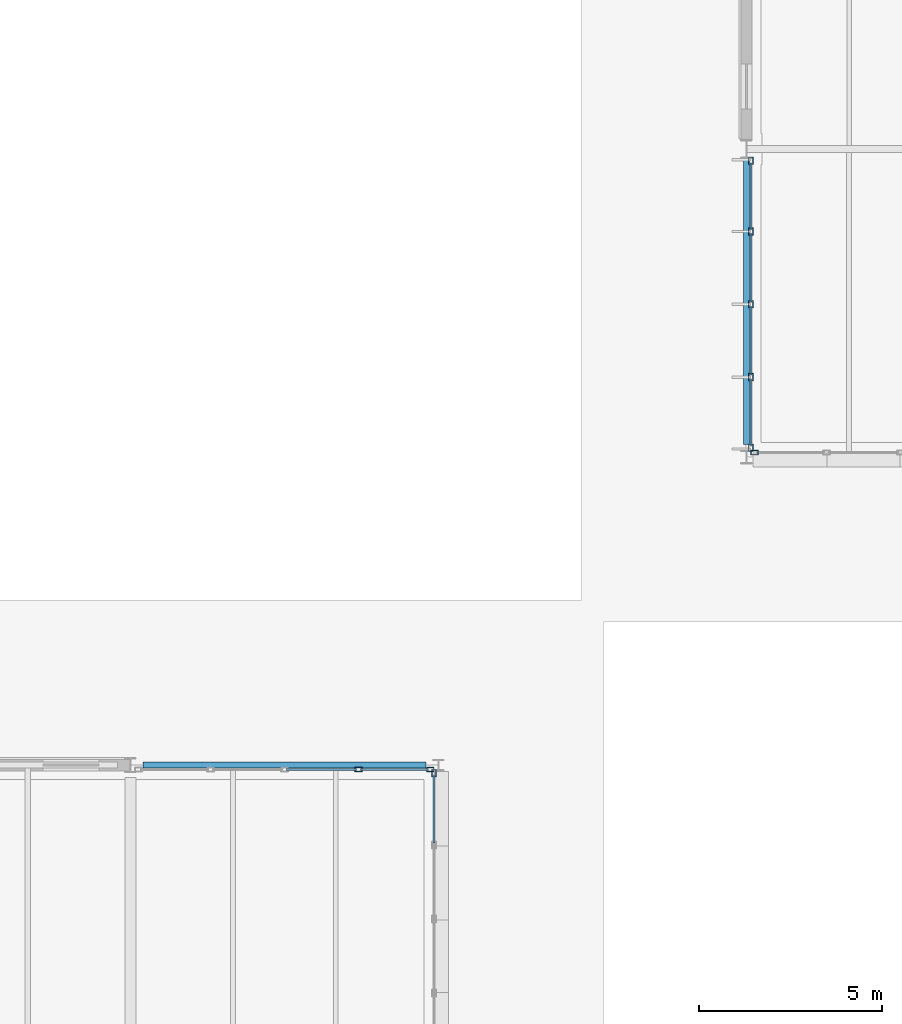
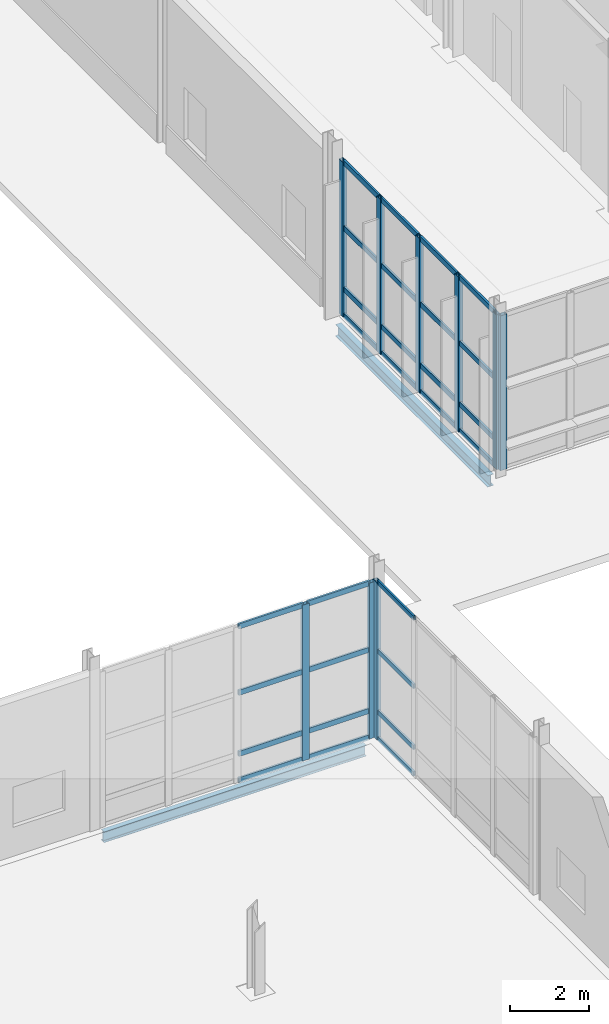
# One storey, part 51 of 124: 37 members, 2 beams, 4 elements without a shape of their own.
"""IFC4 building model written with IfcOpenShell, lengths in metres."""

from ifc_helpers import new_model, si_unit, direction, frame, origin, origin_2d, place, context, subcontext, project, spatial, hollow_rectangle, i_section, extrude, material, material_profile, profile_set, type_object, element, aggregate, save


model = new_model("IFC4")

# Units and contexts
model_context = context("Model", 3, precision=1e-05, world=origin(), true_north=direction((0.0, 1.0)))
body_context = subcontext(model_context, "Body", "Model", "MODEL_VIEW")
ifc_project = project(units=[si_unit("LENGTHUNIT", "METRE"), si_unit("AREAUNIT", "SQUARE_METRE"), si_unit("VOLUMEUNIT", "CUBIC_METRE"), si_unit("PLANEANGLEUNIT", "RADIAN"), si_unit("MASSUNIT", "GRAM", prefix="KILO")], contexts=[model_context])

# Site, building, storey
site_placement = place(None, origin())
site = spatial("IfcSite", under=ifc_project, at=site_placement, CompositionType="ELEMENT")
building_placement = place(site_placement, origin())
building = spatial("IfcBuilding", under=site, at=building_placement, Name="Mersafa Astral City Hall", CompositionType="ELEMENT")
storey_placement = place(building_placement, origin())
storey = spatial("IfcBuildingStorey", under=building, at=storey_placement, Name="L00", CompositionType="ELEMENT", Elevation=0.0)

# Curtain wall, member
ifc_material_1 = material(Name="Anodised bronze aluminium framing", Category="aluminium")
curtain_wall_type_1 = type_object("IfcCurtainWallType", Name="ENV-CW-6", PredefinedType="USERDEFINED", material=ifc_material_1)
curtain_wall_1_placement = place(storey_placement, origin())
curtain_wall_1 = element("IfcCurtainWall", 1, at=curtain_wall_1_placement, inside=storey, type_object=curtain_wall_type_1, Name="L00 Unitised solar curtain wall 5", ObjectType="UNITISED CURTAIN WALL", PredefinedType="USERDEFINED")
ifc_material_profile_1 = material_profile(ifc_material_1, hollow_rectangle(XDim=0.1201171875, YDim=0.199951171875, WallThickness=0.008056640625, at=origin_2d()), Name="RHS 120x200x8")
ifc_profile_set_1 = profile_set([ifc_material_profile_1], Name="Anodised bronze aluminium framing")
member_type_1 = type_object("IfcMemberType", Name="ENV-CW-MUL-2", PredefinedType="MULLION", material=ifc_profile_set_1)
member_1_placement = place(storey_placement, frame((151.080078125, 33.3779296875, -0.001953125), z_axis=(0.0, 0.0, 1.0), x_axis=(-1.0, 0.0, 0.0)))
member_1 = element("IfcMember", 2, at=member_1_placement, type_object=member_type_1, Name="CW-6 mullion 5", PredefinedType="MULLION", context=body_context, shape_type="SweptSolid", body=[
    extrude(hollow_rectangle(XDim=0.1201171875, YDim=0.199951171875, WallThickness=0.008056640625, at=origin_2d()), origin(), (0.0, 0.0, 1.0), 4.904052734375),
])

# Curtain wall, members
curtain_wall_type_2 = type_object("IfcCurtainWallType", Name="ENV-CW-1", PredefinedType="USERDEFINED", material=ifc_material_1)
curtain_wall_2_placement = place(storey_placement, origin())
curtain_wall_2 = element("IfcCurtainWall", 3, at=curtain_wall_2_placement, inside=storey, type_object=curtain_wall_type_2, Name="L00 Unitised solar curtain wall 6", ObjectType="UNITISED CURTAIN WALL", PredefinedType="USERDEFINED")
member_2_placement = place(storey_placement, frame((150.97802734375, 33.47998046875, -0.001953125), z_axis=(0.0, 0.0, 1.0), x_axis=(0.0, -1.0, 0.0)))
member_2 = element("IfcMember", 4, at=member_2_placement, type_object=member_type_1, Name="CW-1 mullion 1", PredefinedType="MULLION", context=body_context, shape_type="SweptSolid", body=[
    extrude(hollow_rectangle(XDim=0.1201171875, YDim=0.199951171875, WallThickness=0.008056640625, at=origin_2d()), origin(), (0.0, 0.0, 1.0), 4.843994140625),
])
member_3_placement = place(storey_placement, frame((149.01904296875, 33.47998046875, -0.001953125), z_axis=(0.0, 0.0, 1.0), x_axis=(0.0, -1.0, 0.0)))
member_3 = element("IfcMember", 5, at=member_3_placement, type_object=member_type_1, Name="CW-1 mullion 2", PredefinedType="MULLION", context=body_context, shape_type="SweptSolid", body=[
    extrude(hollow_rectangle(XDim=0.1201171875, YDim=0.199951171875, WallThickness=0.008056640625, at=origin_2d()), origin(), (0.0, 0.0, 1.0), 4.843994140625),
])

curtain_wall_type_3 = type_object("IfcCurtainWallType", Name="ENV-CW-5", PredefinedType="USERDEFINED", material=ifc_material_1)
curtain_wall_3_placement = place(storey_placement, origin())
curtain_wall_3 = element("IfcCurtainWall", 6, at=curtain_wall_3_placement, inside=storey, type_object=curtain_wall_type_3, Name="L00 Unitised solar curtain wall 22", ObjectType="UNITISED CURTAIN WALL", PredefinedType="USERDEFINED")
member_4_placement = place(storey_placement, frame((159.719970703125, 50.077880859375, -0.001953125), z_axis=(0.0, 0.0, 1.0), x_axis=(1.0, 0.0, 0.0)))
member_4 = element("IfcMember", 7, at=member_4_placement, type_object=member_type_1, Name="CW-5 mullion 1", PredefinedType="MULLION", context=body_context, shape_type="SweptSolid", body=[
    extrude(hollow_rectangle(XDim=0.1201171875, YDim=0.199951171875, WallThickness=0.008056640625, at=origin_2d()), origin(), (0.0, 0.0, 1.0), 4.81396484375),
])
member_5_placement = place(storey_placement, frame((159.719970703125, 48.151611328125, -0.001953125), z_axis=(0.0, 0.0, 1.0), x_axis=(1.0, 0.0, 0.0)))
member_5 = element("IfcMember", 8, at=member_5_placement, type_object=member_type_1, Name="CW-5 mullion 2", PredefinedType="MULLION", context=body_context, shape_type="SweptSolid", body=[
    extrude(hollow_rectangle(XDim=0.1201171875, YDim=0.199951171875, WallThickness=0.008056640625, at=origin_2d()), origin(), (0.0, 0.0, 1.0), 4.81396484375),
])
member_6_placement = place(storey_placement, frame((159.719970703125, 46.1650390625, -0.001953125), z_axis=(0.0, 0.0, 1.0), x_axis=(1.0, 0.0, 0.0)))
member_6 = element("IfcMember", 9, at=member_6_placement, type_object=member_type_1, Name="CW-5 mullion 3", PredefinedType="MULLION", context=body_context, shape_type="SweptSolid", body=[
    extrude(hollow_rectangle(XDim=0.1201171875, YDim=0.199951171875, WallThickness=0.008056640625, at=origin_2d()), origin(), (0.0, 0.0, 1.0), 4.81396484375),
])
member_7_placement = place(storey_placement, frame((159.719970703125, 44.178466796875, -0.001953125), z_axis=(0.0, 0.0, 1.0), x_axis=(1.0, 0.0, 0.0)))
member_7 = element("IfcMember", 10, at=member_7_placement, type_object=member_type_1, Name="CW-5 mullion 4", PredefinedType="MULLION", context=body_context, shape_type="SweptSolid", body=[
    extrude(hollow_rectangle(XDim=0.1201171875, YDim=0.199951171875, WallThickness=0.008056640625, at=origin_2d()), origin(), (0.0, 0.0, 1.0), 4.81396484375),
])
member_8_placement = place(storey_placement, frame((159.719970703125, 42.251953125, -0.001953125), z_axis=(0.0, 0.0, 1.0), x_axis=(1.0, 0.0, 0.0)))
member_8 = element("IfcMember", 11, at=member_8_placement, type_object=member_type_1, Name="CW-5 mullion 5", PredefinedType="MULLION", context=body_context, shape_type="SweptSolid", body=[
    extrude(hollow_rectangle(XDim=0.1201171875, YDim=0.199951171875, WallThickness=0.008056640625, at=origin_2d()), origin(), (0.0, 0.0, 1.0), 4.81396484375),
])

# Curtain wall, member
curtain_wall_4_placement = place(storey_placement, origin())
curtain_wall_4 = element("IfcCurtainWall", 12, at=curtain_wall_4_placement, inside=storey, type_object=curtain_wall_type_1, Name="L00 Unitised solar curtain wall 23", ObjectType="UNITISED CURTAIN WALL", PredefinedType="USERDEFINED")
member_9_placement = place(storey_placement, frame((159.822021484375, 42.1201171875, -0.001953125), z_axis=(0.0, 0.0, 1.0), x_axis=(0.0, 1.0, 0.0)))
member_9 = element("IfcMember", 13, at=member_9_placement, type_object=member_type_1, Name="CW-6 mullion 1", PredefinedType="MULLION", context=body_context, shape_type="SweptSolid", body=[
    extrude(hollow_rectangle(XDim=0.1201171875, YDim=0.199951171875, WallThickness=0.008056640625, at=origin_2d()), origin(), (0.0, 0.0, 1.0), 4.81396484375),
])
aggregate(curtain_wall_4, [member_9])

# Member
ifc_material_profile_2 = material_profile(ifc_material_1, hollow_rectangle(XDim=0.06005859375, YDim=0.139892578125, WallThickness=0.00390625, at=origin_2d()), Name="RHS 60x140x4")
ifc_profile_set_2 = profile_set([ifc_material_profile_2], Name="Anodised bronze aluminium framing")
member_type_2 = type_object("IfcMemberType", Name="ENV-CW-TRN-1", PredefinedType="USERDEFINED", material=ifc_profile_set_2)
member_10_placement = place(storey_placement, frame((151.080078125, 31.47900390625, 0.028076171875), z_axis=(0.0, 1.0, 0.0), x_axis=(-1.0, 0.0, 0.0)))
member_10 = element("IfcMember", 14, at=member_10_placement, type_object=member_type_2, Name="CW-6 transom 4.1", ObjectType="TRANSOM", PredefinedType="USERDEFINED", context=body_context, shape_type="SweptSolid", body=[
    extrude(hollow_rectangle(XDim=0.06005859375, YDim=0.139892578125, WallThickness=0.00390625, at=origin_2d()), origin(), (0.0, 0.0, 1.0), 1.839111328125),
])

member_11_placement = place(storey_placement, frame((151.080078125, 31.47900390625, 0.85009765625), z_axis=(0.0, 1.0, 0.0), x_axis=(-1.0, 0.0, 0.0)))
member_11 = element("IfcMember", 15, at=member_11_placement, type_object=member_type_2, Name="CW-6 transom 4.2", ObjectType="TRANSOM", PredefinedType="USERDEFINED", context=body_context, shape_type="SweptSolid", body=[
    extrude(hollow_rectangle(XDim=0.06005859375, YDim=0.139892578125, WallThickness=0.00390625, at=origin_2d()), origin(), (0.0, 0.0, 1.0), 1.839111328125),
])

member_12_placement = place(storey_placement, frame((151.080078125, 31.47900390625, 2.75), z_axis=(0.0, 1.0, 0.0), x_axis=(-1.0, 0.0, 0.0)))
member_12 = element("IfcMember", 16, at=member_12_placement, type_object=member_type_2, Name="CW-6 transom 4.3", ObjectType="TRANSOM", PredefinedType="USERDEFINED", context=body_context, shape_type="SweptSolid", body=[
    extrude(hollow_rectangle(XDim=0.06005859375, YDim=0.139892578125, WallThickness=0.00390625, at=origin_2d()), origin(), (0.0, 0.0, 1.0), 1.839111328125),
])

member_13_placement = place(storey_placement, frame((151.080078125, 31.47900390625, 4.8720703125), z_axis=(0.0, 1.0, 0.0), x_axis=(-1.0, 0.0, 0.0)))
member_13 = element("IfcMember", 17, at=member_13_placement, type_object=member_type_2, Name="CW-6 transom 4.4", ObjectType="TRANSOM", PredefinedType="USERDEFINED", context=body_context, shape_type="SweptSolid", body=[
    extrude(hollow_rectangle(XDim=0.06005859375, YDim=0.139892578125, WallThickness=0.00390625, at=origin_2d()), origin(), (0.0, 0.0, 1.0), 1.839111328125),
])

aggregate(curtain_wall_1, [member_1, member_10, member_11, member_12, member_13])

ifc_material_profile_3 = material_profile(ifc_material_1, hollow_rectangle(XDim=0.06005859375, YDim=0.159912109375, WallThickness=0.00390625, at=origin_2d()), Name="RHS 60x160x4")
ifc_profile_set_3 = profile_set([ifc_material_profile_3], Name="Anodised bronze aluminium framing")
member_type_3 = type_object("IfcMemberType", Name="ENV-CW-TRN-2", PredefinedType="USERDEFINED", material=ifc_profile_set_3)
member_14_placement = place(storey_placement, frame((150.91796875, 33.47998046875, 0.028076171875), z_axis=(-1.0, 0.0, 0.0), x_axis=(0.0, -1.0, 0.0)))
member_14 = element("IfcMember", 18, at=member_14_placement, type_object=member_type_3, Name="CW-1 transom 1.1", ObjectType="TRANSOM", PredefinedType="USERDEFINED", context=body_context, shape_type="SweptSolid", body=[
    extrude(hollow_rectangle(XDim=0.06005859375, YDim=0.159912109375, WallThickness=0.00390625, at=origin_2d()), origin(), (0.0, 0.0, 1.0), 1.8388671875),
])

member_15_placement = place(storey_placement, frame((150.91796875, 33.47998046875, 0.85009765625), z_axis=(-1.0, 0.0, 0.0), x_axis=(0.0, -1.0, 0.0)))
member_15 = element("IfcMember", 19, at=member_15_placement, type_object=member_type_3, Name="CW-1 transom 1.2", ObjectType="TRANSOM", PredefinedType="USERDEFINED", context=body_context, shape_type="SweptSolid", body=[
    extrude(hollow_rectangle(XDim=0.06005859375, YDim=0.159912109375, WallThickness=0.00390625, at=origin_2d()), origin(), (0.0, 0.0, 1.0), 1.8388671875),
])

member_16_placement = place(storey_placement, frame((150.91796875, 33.47998046875, 2.75), z_axis=(-1.0, 0.0, 0.0), x_axis=(0.0, -1.0, 0.0)))
member_16 = element("IfcMember", 20, at=member_16_placement, type_object=member_type_3, Name="CW-1 transom 1.3", ObjectType="TRANSOM", PredefinedType="USERDEFINED", context=body_context, shape_type="SweptSolid", body=[
    extrude(hollow_rectangle(XDim=0.06005859375, YDim=0.159912109375, WallThickness=0.00390625, at=origin_2d()), origin(), (0.0, 0.0, 1.0), 1.8388671875),
])

member_17_placement = place(storey_placement, frame((150.91796875, 33.47998046875, 4.81201171875), z_axis=(-1.0, 0.0, 0.0), x_axis=(0.0, -1.0, 0.0)))
member_17 = element("IfcMember", 21, at=member_17_placement, type_object=member_type_3, Name="CW-1 transom 1.4", ObjectType="TRANSOM", PredefinedType="USERDEFINED", context=body_context, shape_type="SweptSolid", body=[
    extrude(hollow_rectangle(XDim=0.06005859375, YDim=0.159912109375, WallThickness=0.00390625, at=origin_2d()), origin(), (0.0, 0.0, 1.0), 1.8388671875),
])

member_18_placement = place(storey_placement, frame((148.958984375, 33.47998046875, 0.028076171875), z_axis=(-1.0, 0.0, 0.0), x_axis=(0.0, -1.0, 0.0)))
member_18 = element("IfcMember", 22, at=member_18_placement, type_object=member_type_3, Name="CW-1 transom 2.1", ObjectType="TRANSOM", PredefinedType="USERDEFINED", context=body_context, shape_type="SweptSolid", body=[
    extrude(hollow_rectangle(XDim=0.06005859375, YDim=0.159912109375, WallThickness=0.00390625, at=origin_2d()), origin(), (0.0, 0.0, 1.0), 1.89892578125),
])

member_19_placement = place(storey_placement, frame((148.958984375, 33.47998046875, 0.85009765625), z_axis=(-1.0, 0.0, 0.0), x_axis=(0.0, -1.0, 0.0)))
member_19 = element("IfcMember", 23, at=member_19_placement, type_object=member_type_3, Name="CW-1 transom 2.2", ObjectType="TRANSOM", PredefinedType="USERDEFINED", context=body_context, shape_type="SweptSolid", body=[
    extrude(hollow_rectangle(XDim=0.06005859375, YDim=0.159912109375, WallThickness=0.00390625, at=origin_2d()), origin(), (0.0, 0.0, 1.0), 1.89892578125),
])

member_20_placement = place(storey_placement, frame((148.958984375, 33.47998046875, 2.75), z_axis=(-1.0, 0.0, 0.0), x_axis=(0.0, -1.0, 0.0)))
member_20 = element("IfcMember", 24, at=member_20_placement, type_object=member_type_3, Name="CW-1 transom 2.3", ObjectType="TRANSOM", PredefinedType="USERDEFINED", context=body_context, shape_type="SweptSolid", body=[
    extrude(hollow_rectangle(XDim=0.06005859375, YDim=0.159912109375, WallThickness=0.00390625, at=origin_2d()), origin(), (0.0, 0.0, 1.0), 1.89892578125),
])

member_21_placement = place(storey_placement, frame((148.958984375, 33.47998046875, 4.81201171875), z_axis=(-1.0, 0.0, 0.0), x_axis=(0.0, -1.0, 0.0)))
member_21 = element("IfcMember", 25, at=member_21_placement, type_object=member_type_3, Name="CW-1 transom 2.4", ObjectType="TRANSOM", PredefinedType="USERDEFINED", context=body_context, shape_type="SweptSolid", body=[
    extrude(hollow_rectangle(XDim=0.06005859375, YDim=0.159912109375, WallThickness=0.00390625, at=origin_2d()), origin(), (0.0, 0.0, 1.0), 1.89892578125),
])

aggregate(curtain_wall_2, [member_2, member_3, member_14, member_15, member_16, member_17, member_18, member_19, member_20, member_21])

member_22_placement = place(storey_placement, frame((159.719970703125, 50.01806640625, 0.028076171875), z_axis=(0.0, -1.0, 0.0), x_axis=(1.0, 0.0, 0.0)))
member_22 = element("IfcMember", 26, at=member_22_placement, type_object=member_type_3, Name="CW-5 transom 1.1", ObjectType="TRANSOM", PredefinedType="USERDEFINED", context=body_context, shape_type="SweptSolid", body=[
    extrude(hollow_rectangle(XDim=0.06005859375, YDim=0.159912109375, WallThickness=0.00390625, at=origin_2d()), origin(), (0.0, 0.0, 1.0), 1.806640625),
])

member_23_placement = place(storey_placement, frame((159.719970703125, 50.01806640625, 0.85009765625), z_axis=(0.0, -1.0, 0.0), x_axis=(1.0, 0.0, 0.0)))
member_23 = element("IfcMember", 27, at=member_23_placement, type_object=member_type_3, Name="CW-5 transom 1.2", ObjectType="TRANSOM", PredefinedType="USERDEFINED", context=body_context, shape_type="SweptSolid", body=[
    extrude(hollow_rectangle(XDim=0.06005859375, YDim=0.159912109375, WallThickness=0.00390625, at=origin_2d()), origin(), (0.0, 0.0, 1.0), 1.806640625),
])

member_24_placement = place(storey_placement, frame((159.719970703125, 50.01806640625, 2.75), z_axis=(0.0, -1.0, 0.0), x_axis=(1.0, 0.0, 0.0)))
member_24 = element("IfcMember", 28, at=member_24_placement, type_object=member_type_3, Name="CW-5 transom 1.3", ObjectType="TRANSOM", PredefinedType="USERDEFINED", context=body_context, shape_type="SweptSolid", body=[
    extrude(hollow_rectangle(XDim=0.06005859375, YDim=0.159912109375, WallThickness=0.00390625, at=origin_2d()), origin(), (0.0, 0.0, 1.0), 1.806640625),
])

member_25_placement = place(storey_placement, frame((159.719970703125, 50.01806640625, 4.781982421875), z_axis=(0.0, -1.0, 0.0), x_axis=(1.0, 0.0, 0.0)))
member_25 = element("IfcMember", 29, at=member_25_placement, type_object=member_type_3, Name="CW-5 transom 1.4", ObjectType="TRANSOM", PredefinedType="USERDEFINED", context=body_context, shape_type="SweptSolid", body=[
    extrude(hollow_rectangle(XDim=0.06005859375, YDim=0.159912109375, WallThickness=0.00390625, at=origin_2d()), origin(), (0.0, 0.0, 1.0), 1.806640625),
])

member_26_placement = place(storey_placement, frame((159.719970703125, 48.091552734375, 0.028076171875), z_axis=(0.0, -1.0, 0.0), x_axis=(1.0, 0.0, 0.0)))
member_26 = element("IfcMember", 30, at=member_26_placement, type_object=member_type_3, Name="CW-5 transom 2.1", ObjectType="TRANSOM", PredefinedType="USERDEFINED", context=body_context, shape_type="SweptSolid", body=[
    extrude(hollow_rectangle(XDim=0.06005859375, YDim=0.159912109375, WallThickness=0.00390625, at=origin_2d()), origin(), (0.0, 0.0, 1.0), 1.866455078125),
])

member_27_placement = place(storey_placement, frame((159.719970703125, 48.091552734375, 0.85009765625), z_axis=(0.0, -1.0, 0.0), x_axis=(1.0, 0.0, 0.0)))
member_27 = element("IfcMember", 31, at=member_27_placement, type_object=member_type_3, Name="CW-5 transom 2.2", ObjectType="TRANSOM", PredefinedType="USERDEFINED", context=body_context, shape_type="SweptSolid", body=[
    extrude(hollow_rectangle(XDim=0.06005859375, YDim=0.159912109375, WallThickness=0.00390625, at=origin_2d()), origin(), (0.0, 0.0, 1.0), 1.866455078125),
])

member_28_placement = place(storey_placement, frame((159.719970703125, 48.091552734375, 2.75), z_axis=(0.0, -1.0, 0.0), x_axis=(1.0, 0.0, 0.0)))
member_28 = element("IfcMember", 32, at=member_28_placement, type_object=member_type_3, Name="CW-5 transom 2.3", ObjectType="TRANSOM", PredefinedType="USERDEFINED", context=body_context, shape_type="SweptSolid", body=[
    extrude(hollow_rectangle(XDim=0.06005859375, YDim=0.159912109375, WallThickness=0.00390625, at=origin_2d()), origin(), (0.0, 0.0, 1.0), 1.866455078125),
])

member_29_placement = place(storey_placement, frame((159.719970703125, 48.091552734375, 4.781982421875), z_axis=(0.0, -1.0, 0.0), x_axis=(1.0, 0.0, 0.0)))
member_29 = element("IfcMember", 33, at=member_29_placement, type_object=member_type_3, Name="CW-5 transom 2.4", ObjectType="TRANSOM", PredefinedType="USERDEFINED", context=body_context, shape_type="SweptSolid", body=[
    extrude(hollow_rectangle(XDim=0.06005859375, YDim=0.159912109375, WallThickness=0.00390625, at=origin_2d()), origin(), (0.0, 0.0, 1.0), 1.866455078125),
])

member_30_placement = place(storey_placement, frame((159.719970703125, 46.10498046875, 0.028076171875), z_axis=(0.0, -1.0, 0.0), x_axis=(1.0, 0.0, 0.0)))
member_30 = element("IfcMember", 34, at=member_30_placement, type_object=member_type_3, Name="CW-5 transom 3.1", ObjectType="TRANSOM", PredefinedType="USERDEFINED", context=body_context, shape_type="SweptSolid", body=[
    extrude(hollow_rectangle(XDim=0.06005859375, YDim=0.159912109375, WallThickness=0.00390625, at=origin_2d()), origin(), (0.0, 0.0, 1.0), 1.866455078125),
])

member_31_placement = place(storey_placement, frame((159.719970703125, 46.10498046875, 0.85009765625), z_axis=(0.0, -1.0, 0.0), x_axis=(1.0, 0.0, 0.0)))
member_31 = element("IfcMember", 35, at=member_31_placement, type_object=member_type_3, Name="CW-5 transom 3.2", ObjectType="TRANSOM", PredefinedType="USERDEFINED", context=body_context, shape_type="SweptSolid", body=[
    extrude(hollow_rectangle(XDim=0.06005859375, YDim=0.159912109375, WallThickness=0.00390625, at=origin_2d()), origin(), (0.0, 0.0, 1.0), 1.866455078125),
])

member_32_placement = place(storey_placement, frame((159.719970703125, 46.10498046875, 2.75), z_axis=(0.0, -1.0, 0.0), x_axis=(1.0, 0.0, 0.0)))
member_32 = element("IfcMember", 36, at=member_32_placement, type_object=member_type_3, Name="CW-5 transom 3.3", ObjectType="TRANSOM", PredefinedType="USERDEFINED", context=body_context, shape_type="SweptSolid", body=[
    extrude(hollow_rectangle(XDim=0.06005859375, YDim=0.159912109375, WallThickness=0.00390625, at=origin_2d()), origin(), (0.0, 0.0, 1.0), 1.866455078125),
])

member_33_placement = place(storey_placement, frame((159.719970703125, 46.10498046875, 4.781982421875), z_axis=(0.0, -1.0, 0.0), x_axis=(1.0, 0.0, 0.0)))
member_33 = element("IfcMember", 37, at=member_33_placement, type_object=member_type_3, Name="CW-5 transom 3.4", ObjectType="TRANSOM", PredefinedType="USERDEFINED", context=body_context, shape_type="SweptSolid", body=[
    extrude(hollow_rectangle(XDim=0.06005859375, YDim=0.159912109375, WallThickness=0.00390625, at=origin_2d()), origin(), (0.0, 0.0, 1.0), 1.866455078125),
])

member_34_placement = place(storey_placement, frame((159.719970703125, 44.118408203125, 0.028076171875), z_axis=(0.0, -1.0, 0.0), x_axis=(1.0, 0.0, 0.0)))
member_34 = element("IfcMember", 38, at=member_34_placement, type_object=member_type_3, Name="CW-5 transom 4.1", ObjectType="TRANSOM", PredefinedType="USERDEFINED", context=body_context, shape_type="SweptSolid", body=[
    extrude(hollow_rectangle(XDim=0.06005859375, YDim=0.159912109375, WallThickness=0.00390625, at=origin_2d()), origin(), (0.0, 0.0, 1.0), 1.806396484375),
])

member_35_placement = place(storey_placement, frame((159.719970703125, 44.118408203125, 0.85009765625), z_axis=(0.0, -1.0, 0.0), x_axis=(1.0, 0.0, 0.0)))
member_35 = element("IfcMember", 39, at=member_35_placement, type_object=member_type_3, Name="CW-5 transom 4.2", ObjectType="TRANSOM", PredefinedType="USERDEFINED", context=body_context, shape_type="SweptSolid", body=[
    extrude(hollow_rectangle(XDim=0.06005859375, YDim=0.159912109375, WallThickness=0.00390625, at=origin_2d()), origin(), (0.0, 0.0, 1.0), 1.806396484375),
])

member_36_placement = place(storey_placement, frame((159.719970703125, 44.118408203125, 2.75), z_axis=(0.0, -1.0, 0.0), x_axis=(1.0, 0.0, 0.0)))
member_36 = element("IfcMember", 40, at=member_36_placement, type_object=member_type_3, Name="CW-5 transom 4.3", ObjectType="TRANSOM", PredefinedType="USERDEFINED", context=body_context, shape_type="SweptSolid", body=[
    extrude(hollow_rectangle(XDim=0.06005859375, YDim=0.159912109375, WallThickness=0.00390625, at=origin_2d()), origin(), (0.0, 0.0, 1.0), 1.806396484375),
])

member_37_placement = place(storey_placement, frame((159.719970703125, 44.118408203125, 4.781982421875), z_axis=(0.0, -1.0, 0.0), x_axis=(1.0, 0.0, 0.0)))
member_37 = element("IfcMember", 41, at=member_37_placement, type_object=member_type_3, Name="CW-5 transom 4.4", ObjectType="TRANSOM", PredefinedType="USERDEFINED", context=body_context, shape_type="SweptSolid", body=[
    extrude(hollow_rectangle(XDim=0.06005859375, YDim=0.159912109375, WallThickness=0.00390625, at=origin_2d()), origin(), (0.0, 0.0, 1.0), 1.806396484375),
])

aggregate(curtain_wall_3, [member_4, member_5, member_6, member_7, member_8, member_22, member_23, member_24, member_25, member_26, member_27, member_28, member_29, member_30, member_31, member_32, member_33, member_34, member_35, member_36, member_37])

# Beams
ifc_material_2 = material(Name="Steel S355", Category="steel")
ifc_material_profile_4 = material_profile(ifc_material_2, i_section(OverallWidth=0.159912109375, OverallDepth=0.330078125, WebThickness=0.007568359375, FlangeThickness=0.011474609375, FilletRadius=0.01806640625, at=origin_2d()), Name="IPE 330")
ifc_profile_set_4 = profile_set([ifc_material_profile_4], Name="Steel S355")
beam_type_1 = type_object("IfcBeamType", Name="STR-BM-SPANDREL-IPE330", PredefinedType="SPANDREL", material=ifc_profile_set_4)
beam_1_placement = place(storey_placement, frame((143.14501953125, 33.60009765625, -0.4150390625), z_axis=(1.0, 0.0, 0.0), x_axis=(0.0, 1.0, 0.0)))
element("IfcBeam", 42, at=beam_1_placement, inside=storey, type_object=beam_type_1, Name="L00 Primary girder X 17-4", PredefinedType="SPANDREL", context=body_context, shape_type="SweptSolid", body=[
    extrude(i_section(OverallWidth=0.159912109375, OverallDepth=0.330078125, WebThickness=0.007568359375, FlangeThickness=0.011474609375, FilletRadius=0.01806640625, at=origin_2d()), origin(), (0.0, 0.0, 1.0), 7.7099609375),
])
ifc_material_profile_5 = material_profile(ifc_material_2, i_section(OverallWidth=0.169921875, OverallDepth=0.360107421875, WebThickness=0.008056640625, FlangeThickness=0.0126953125, FilletRadius=0.01806640625, at=origin_2d()), Name="IPE 360")
ifc_profile_set_5 = profile_set([ifc_material_profile_5], Name="Steel S355")
beam_type_2 = type_object("IfcBeamType", Name="STR-BM-SPANDREL-IPE360", PredefinedType="SPANDREL", material=ifc_profile_set_5)
beam_2_placement = place(storey_placement, frame((159.60009765625, 42.344970703125, -0.429931640625), z_axis=(0.0, 1.0, 0.0), x_axis=(-1.0, 0.0, 0.0)))
element("IfcBeam", 43, at=beam_2_placement, inside=storey, type_object=beam_type_2, Name="L00 Primary girder Y 19-5", PredefinedType="SPANDREL", context=body_context, shape_type="SweptSolid", body=[
    extrude(i_section(OverallWidth=0.169921875, OverallDepth=0.360107421875, WebThickness=0.008056640625, FlangeThickness=0.0126953125, FilletRadius=0.01806640625, at=origin_2d()), origin(), (0.0, 0.0, 1.0), 7.760009765625),
])

save(model, "model.ifc")
